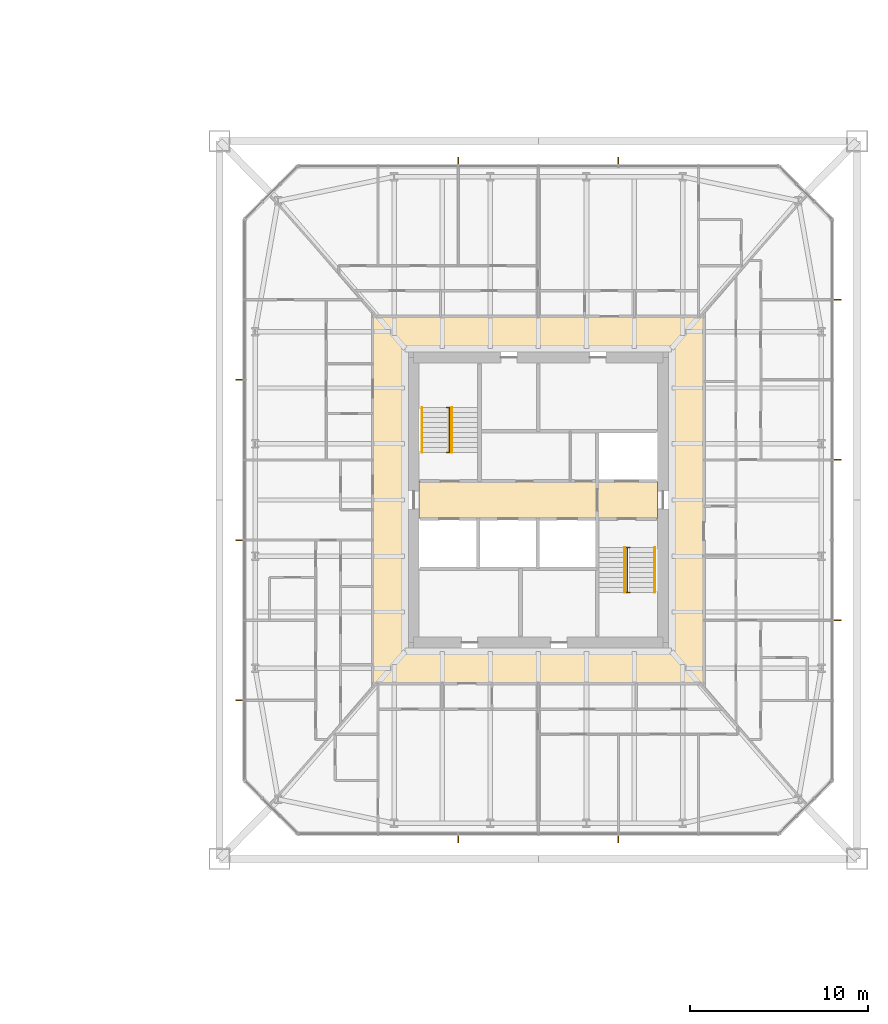
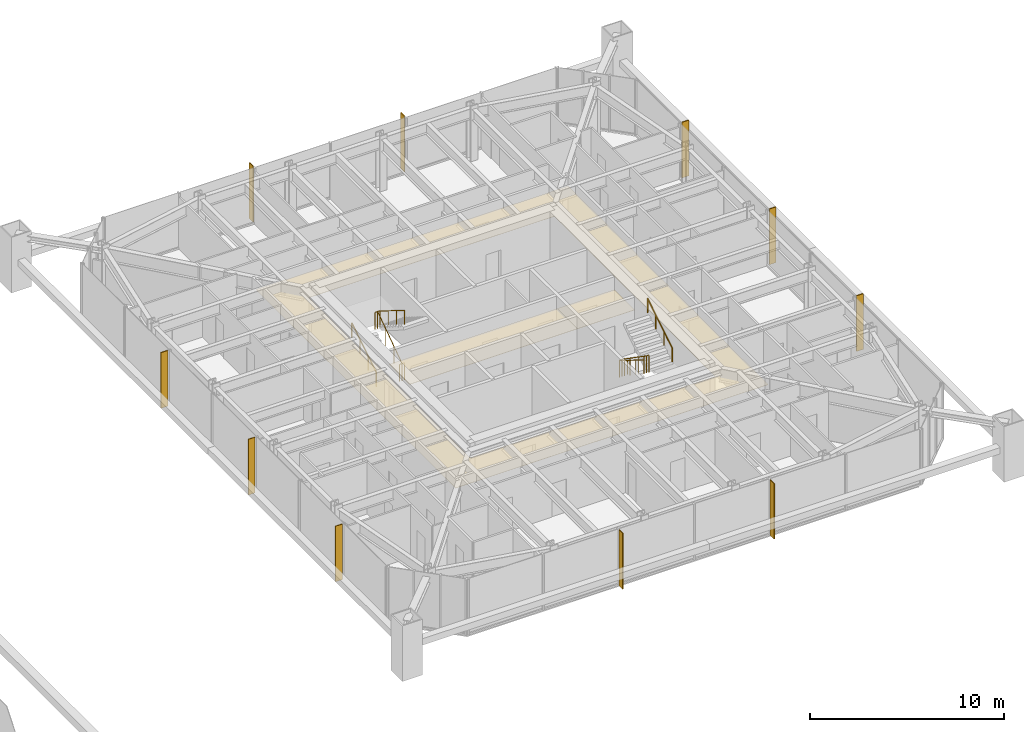
# One storey, part 27 of 27: 10 shading devices, 6 railings, 3 coverings.
"""IFC4 building model written with IfcOpenShell, lengths in metres."""

from ifc_helpers import new_model, si_unit, direction, frame, origin, origin_2d, place, context, subcontext, project, spatial, polyline, rectangle, circle, outline, extrude, material, layer, layer_set, constituent, constituent_set, type_object, element, save


model = new_model("IFC4")

# Units and contexts
model_context = context("Model", 3, precision=1e-05, world=origin(), true_north=direction((0.0, 1.0)))
body_context = subcontext(model_context, "Body", "Model", "MODEL_VIEW")
ifc_project = project(units=[si_unit("LENGTHUNIT", "METRE"), si_unit("AREAUNIT", "SQUARE_METRE"), si_unit("VOLUMEUNIT", "CUBIC_METRE"), si_unit("PLANEANGLEUNIT", "RADIAN"), si_unit("MASSUNIT", "GRAM", prefix="KILO")], contexts=[model_context])

# Site, building, storey
site_placement = place(None, origin())
site = spatial("IfcSite", under=ifc_project, at=site_placement, CompositionType="ELEMENT")
building_placement = place(site_placement, origin())
building = spatial("IfcBuilding", under=site, at=building_placement, Name="Iwan Alto Co-Living Towers", CompositionType="ELEMENT")
storey_placement = place(building_placement, frame((0.0, 0.0, 53.5)))
storey = spatial("IfcBuildingStorey", under=building, at=storey_placement, Name="L14", CompositionType="ELEMENT", Elevation=53.5)

# Coverings
ifc_material_1 = material(Name="Mineral fibre acoustic tiles on steel grid", Category="steel")
ifc_layer_1 = layer(ifc_material_1, 0.02001953125)
ifc_layer_set_1 = layer_set([ifc_layer_1], Name="ACOUSTIC TILE CEILING 20")
covering_type_1 = type_object("IfcCoveringType", Name="ACOUSTIC TILE CEILING 20", PredefinedType="CEILING", material=ifc_layer_set_1)
covering_1_placement = place(storey_placement, frame((0.0, 0.0, 2.60009765625)))
element("IfcCovering", 1, at=covering_1_placement, inside=storey, type_object=covering_type_1, Name="Ceiling Lift lobby L14", PredefinedType="CEILING", context=body_context, shape_type="SweptSolid", body=[
    extrude(outline(polyline([(56.300048828125, -1.050048828125), (56.300048828125, 1.050048828125), (66.300048828125, 1.050048828125), (66.300048828125, -1.050048828125), (56.300048828125, -1.050048828125)])), origin(), (0.0, 0.0, 1.0), 0.02001953125),
])
covering_2_placement = place(storey_placement, frame((0.0, 0.0, 2.60009765625)))
element("IfcCovering", 2, at=covering_2_placement, inside=storey, type_object=covering_type_1, Name="Ceiling Firefighting lobby L14", PredefinedType="CEILING", context=body_context, shape_type="SweptSolid", body=[
    extrude(outline(polyline([(66.300048828125, -1.050048828125), (66.300048828125, 1.050048828125), (69.699951171875, 1.050048828125), (69.699951171875, -1.050048828125), (66.300048828125, -1.050048828125)])), origin(), (0.0, 0.0, 1.0), 0.02001953125),
])

# Shading devices
ifc_material_2 = material(Name="Aluminium 6063-T6 bronze anodised", Category="aluminium")
ifc_layer_2 = layer(ifc_material_2, 0.050048828125)
ifc_layer_set_2 = layer_set([ifc_layer_2], Name="BRONZE FIN 50X400")
shading_device_type = type_object("IfcShadingDeviceType", Name="BRONZE FIN 50X400", PredefinedType="USERDEFINED", material=ifc_layer_set_2)
for number, where, z_axis, x_axis, name in (
    (3, (58.5, -19.050048828125, 0.0), (0.0, 0.0, 1.0), (1.0, 0.0, 0.0), "Bronze fin L14"),
    (4, (67.5, -19.050048828125, 0.0), (0.0, 0.0, 1.0), (1.0, 0.0, 0.0), "Bronze fin L14"),
    (5, (79.800048828125, -6.75, 0.0), (0.0, 0.0, 1.0), (0.0, 1.0, 0.0), "Bronze fin L14"),
    (6, (79.800048828125, 2.25, 0.0), (0.0, 0.0, 1.0), (0.0, 1.0, 0.0), "Bronze fin L14"),
    (7, (79.800048828125, 11.25, 0.0), (0.0, 0.0, 1.0), (0.0, 1.0, 0.0), "Bronze fin L14"),
    (8, (67.5, 19.050048828125, 0.0), (0.0, 0.0, 1.0), (-1.0, 0.0, 0.0), "Bronze fin L14"),
    (9, (58.5, 19.050048828125, 0.0), (0.0, 0.0, 1.0), (-1.0, 0.0, 0.0), "Bronze fin L14"),
    (10, (46.199951171875, 6.75, 0.0), (0.0, 0.0, 1.0), (0.0, -1.0, 0.0), "Bronze fin L14"),
    (11, (46.199951171875, -2.25, 0.0), (0.0, 0.0, 1.0), (0.0, -1.0, 0.0), "Bronze fin L14"),
    (12, (46.199951171875, -11.25, 0.0), (0.0, 0.0, 1.0), (0.0, -1.0, 0.0), "Bronze fin L14"),
):
    element("IfcShadingDevice", number, at=place(storey_placement, frame(where, z_axis=z_axis, x_axis=x_axis)), inside=storey, type_object=shading_device_type, Name=name, ObjectType="LOUVER", PredefinedType="USERDEFINED", context=body_context, shape_type="SweptSolid", body=[
        extrude(rectangle(XDim=0.050048828125, YDim=0.39990234375, at=origin_2d()), origin(), (0.0, 0.0, 1.0), 3.5),
    ])

# Railings
ifc_material_3 = material(Name="Steel ASTM A500 Gr C", Category="steel")
ifc_constituent_1 = constituent(ifc_material_3, Name="Rails and posts", Category="Framing")
ifc_material_4 = material(Name="Steel ASTM A36", Category="steel")
ifc_constituent_2 = constituent(ifc_material_4, Name="Bar infill", Category="Infill")
ifc_constituent_set = constituent_set(constituents=[ifc_constituent_1, ifc_constituent_2], Name="STAIR GUARD 1100")
railing_type_1 = type_object("IfcRailingType", Name="STAIR GUARD 1100", PredefinedType="GUARDRAIL", material=ifc_constituent_set)
railing_1_placement = place(storey_placement, frame((58.0, 2.669921875, 0.0)))
element("IfcRailing", 13, at=railing_1_placement, inside=storey, type_object=railing_type_1, Name="Stair T2-S1 well guard L14", PredefinedType="GUARDRAIL", context=body_context, shape_type="SweptSolid", body=[
    extrude(circle(Radius=0.02392578125, at=origin_2d()), frame((0.0, 0.0, 1.076171875), z_axis=(0.0, 0.821372036852, 0.570392826987), x_axis=(-1.0, 0.0, 0.0)), (0.0, 0.0, 1.0), 3.068115234375),
    extrude(circle(Radius=0.02392578125, at=origin_2d()), frame((-0.14990234375, 0.0, 1.076171875), z_axis=(1.0, 0.0, 0.0), x_axis=(0.0, 1.0, 0.0)), (0.0, 0.0, 1.0), 0.2998046875),
    extrude(circle(Radius=0.02392578125, at=origin_2d()), frame((-0.14990234375, 2.52001953125, 2.826171875), z_axis=(1.0, 0.0, 0.0), x_axis=(0.0, 1.0, 0.0)), (0.0, 0.0, 1.0), 0.2998046875),
    extrude(circle(Radius=0.02099609375, at=origin_2d()), origin(), (0.0, 0.0, 1.0), 1.052001953125),
    extrude(circle(Radius=0.02099609375, at=origin_2d()), frame((0.0, 0.840087890625, 0.583251953125)), (0.0, 0.0, 1.0), 1.052001953125),
    extrude(circle(Radius=0.02099609375, at=origin_2d()), frame((0.0, 1.679931640625, 1.166748046875)), (0.0, 0.0, 1.0), 1.052001953125),
    extrude(circle(Radius=0.02099609375, at=origin_2d()), frame((0.0, 2.52001953125, 1.75)), (0.0, 0.0, 1.0), 1.052001953125),
    extrude(circle(Radius=0.02099609375, at=origin_2d()), frame((-0.14990234375, 0.0, 0.0)), (0.0, 0.0, 1.0), 1.052001953125),
    extrude(circle(Radius=0.02099609375, at=origin_2d()), frame((0.14990234375, 0.0, 0.0)), (0.0, 0.0, 1.0), 1.052001953125),
    extrude(circle(Radius=0.02099609375, at=origin_2d()), frame((-0.14990234375, 2.52001953125, 1.75)), (0.0, 0.0, 1.0), 1.052001953125),
    extrude(circle(Radius=0.02099609375, at=origin_2d()), frame((0.14990234375, 2.52001953125, 1.75)), (0.0, 0.0, 1.0), 1.052001953125),
])
railing_2_placement = place(storey_placement, frame((68.0, -2.669921875, 0.0)))
element("IfcRailing", 14, at=railing_2_placement, inside=storey, type_object=railing_type_1, Name="Stair T2-S2 well guard L14", PredefinedType="GUARDRAIL", context=body_context, shape_type="SweptSolid", body=[
    extrude(circle(Radius=0.02392578125, at=origin_2d()), frame((0.0, 0.0, 1.076171875), z_axis=(0.0, -0.821372036852, 0.570392826987), x_axis=(1.0, 0.0, 0.0)), (0.0, 0.0, 1.0), 3.068115234375),
    extrude(circle(Radius=0.02392578125, at=origin_2d()), frame((-0.14990234375, 0.0, 1.076171875), z_axis=(1.0, 0.0, 0.0), x_axis=(0.0, 1.0, 0.0)), (0.0, 0.0, 1.0), 0.2998046875),
    extrude(circle(Radius=0.02392578125, at=origin_2d()), frame((-0.14990234375, -2.52001953125, 2.826171875), z_axis=(1.0, 0.0, 0.0), x_axis=(0.0, 1.0, 0.0)), (0.0, 0.0, 1.0), 0.2998046875),
    extrude(circle(Radius=0.02099609375, at=origin_2d()), origin(), (0.0, 0.0, 1.0), 1.052001953125),
    extrude(circle(Radius=0.02099609375, at=origin_2d()), frame((0.0, -0.840087890625, 0.583251953125)), (0.0, 0.0, 1.0), 1.052001953125),
    extrude(circle(Radius=0.02099609375, at=origin_2d()), frame((0.0, -1.679931640625, 1.166748046875)), (0.0, 0.0, 1.0), 1.052001953125),
    extrude(circle(Radius=0.02099609375, at=origin_2d()), frame((0.0, -2.52001953125, 1.75)), (0.0, 0.0, 1.0), 1.052001953125),
    extrude(circle(Radius=0.02099609375, at=origin_2d()), frame((-0.14990234375, 0.0, 0.0)), (0.0, 0.0, 1.0), 1.052001953125),
    extrude(circle(Radius=0.02099609375, at=origin_2d()), frame((0.14990234375, 0.0, 0.0)), (0.0, 0.0, 1.0), 1.052001953125),
    extrude(circle(Radius=0.02099609375, at=origin_2d()), frame((-0.14990234375, -2.52001953125, 1.75)), (0.0, 0.0, 1.0), 1.052001953125),
    extrude(circle(Radius=0.02099609375, at=origin_2d()), frame((0.14990234375, -2.52001953125, 1.75)), (0.0, 0.0, 1.0), 1.052001953125),
])
ifc_material_5 = material(Name="Steel ASTM A500 Gr C", Category="steel")
railing_type_2 = type_object("IfcRailingType", Name="STAIR HANDRAIL 900", PredefinedType="HANDRAIL", material=ifc_material_5)
railing_3_placement = place(storey_placement, frame((56.469970703125, 2.669921875, 0.175048828125)))
element("IfcRailing", 15, at=railing_3_placement, inside=storey, type_object=railing_type_2, Name="Stair T2-S1 handrail 1 L14", PredefinedType="HANDRAIL", context=body_context, shape_type="SweptSolid", body=[
    extrude(circle(Radius=0.02392578125, at=origin_2d()), frame((0.0, 0.0, 0.8759765625), z_axis=(0.0, 0.848007534815, 0.529984170421), x_axis=(-1.0, 0.0, 0.0)), (0.0, 0.0, 1.0), 2.9716796875),
    extrude(circle(Radius=0.02099609375, at=origin_2d()), origin(), (0.0, 0.0, 1.0), 0.851806640625),
    extrude(circle(Radius=0.02099609375, at=origin_2d()), frame((0.0, 0.840087890625, 0.52490234375)), (0.0, 0.0, 1.0), 0.851806640625),
    extrude(circle(Radius=0.02099609375, at=origin_2d()), frame((0.0, 1.679931640625, 1.050048828125)), (0.0, 0.0, 1.0), 0.851806640625),
    extrude(circle(Radius=0.02099609375, at=origin_2d()), frame((0.0, 2.52001953125, 1.574951171875)), (0.0, 0.0, 1.0), 0.851806640625),
])
for number, where, name in (
    (16, (58.14990234375, 5.18994140625, 1.925048828125), "Stair T2-S1 handrail 2 L14"),
    (17, (67.85009765625, -2.669921875, 0.175048828125), "Stair T2-S2 handrail 1 L14"),
):
    element("IfcRailing", number, at=place(storey_placement, frame(where)), inside=storey, type_object=railing_type_2, Name=name, PredefinedType="HANDRAIL", context=body_context, shape_type="SweptSolid", body=[
        extrude(circle(Radius=0.02392578125, at=origin_2d()), frame((0.0, 0.0, 0.8759765625), z_axis=(0.0, -0.848007534815, 0.529984170421), x_axis=(1.0, 0.0, 0.0)), (0.0, 0.0, 1.0), 2.9716796875),
        extrude(circle(Radius=0.02099609375, at=origin_2d()), origin(), (0.0, 0.0, 1.0), 0.851806640625),
        extrude(circle(Radius=0.02099609375, at=origin_2d()), frame((0.0, -0.840087890625, 0.52490234375)), (0.0, 0.0, 1.0), 0.851806640625),
        extrude(circle(Radius=0.02099609375, at=origin_2d()), frame((0.0, -1.679931640625, 1.050048828125)), (0.0, 0.0, 1.0), 0.851806640625),
        extrude(circle(Radius=0.02099609375, at=origin_2d()), frame((0.0, -2.52001953125, 1.574951171875)), (0.0, 0.0, 1.0), 0.851806640625),
    ])
railing_4_placement = place(storey_placement, frame((69.530029296875, -5.18994140625, 1.925048828125)))
element("IfcRailing", 18, at=railing_4_placement, inside=storey, type_object=railing_type_2, Name="Stair T2-S2 handrail 2 L14", PredefinedType="HANDRAIL", context=body_context, shape_type="SweptSolid", body=[
    extrude(circle(Radius=0.02392578125, at=origin_2d()), frame((0.0, 0.0, 0.8759765625), z_axis=(0.0, 0.848007534815, 0.529984170421), x_axis=(-1.0, 0.0, 0.0)), (0.0, 0.0, 1.0), 2.9716796875),
    extrude(circle(Radius=0.02099609375, at=origin_2d()), origin(), (0.0, 0.0, 1.0), 0.851806640625),
    extrude(circle(Radius=0.02099609375, at=origin_2d()), frame((0.0, 0.840087890625, 0.52490234375)), (0.0, 0.0, 1.0), 0.851806640625),
    extrude(circle(Radius=0.02099609375, at=origin_2d()), frame((0.0, 1.679931640625, 1.050048828125)), (0.0, 0.0, 1.0), 0.851806640625),
    extrude(circle(Radius=0.02099609375, at=origin_2d()), frame((0.0, 2.52001953125, 1.574951171875)), (0.0, 0.0, 1.0), 0.851806640625),
])

# Covering
ifc_material_6 = material(Name="Gypsum plasterboard on steel grid", Category="steel")
ifc_layer_3 = layer(ifc_material_6, 0.014892578125)
ifc_layer_set_3 = layer_set([ifc_layer_3], Name="SUSPENDED PLASTERBOARD CEILING 15")
covering_type_2 = type_object("IfcCoveringType", Name="SUSPENDED PLASTERBOARD CEILING 15", PredefinedType="CEILING", material=ifc_layer_set_3)
covering_3_placement = place(storey_placement, frame((0.0, 0.0, 2.60009765625)))
element("IfcCovering", 19, at=covering_3_placement, inside=storey, type_object=covering_type_2, Name="Ceiling Corridor L14", PredefinedType="CEILING", context=body_context, shape_type="SweptSolid", body=[
    extrude(outline(polyline([(53.699951171875, 10.300048828125), (72.300048828125, 10.300048828125), (72.300048828125, -10.300048828125), (53.699951171875, -10.300048828125), (53.699951171875, 10.300048828125)]), holes=[polyline([(55.699951171875, 8.300048828125), (55.699951171875, -8.300048828125), (70.300048828125, -8.300048828125), (70.300048828125, 8.300048828125), (55.699951171875, 8.300048828125)])]), origin(), (0.0, 0.0, 1.0), 0.014892578125),
])

save(model, "model.ifc")
